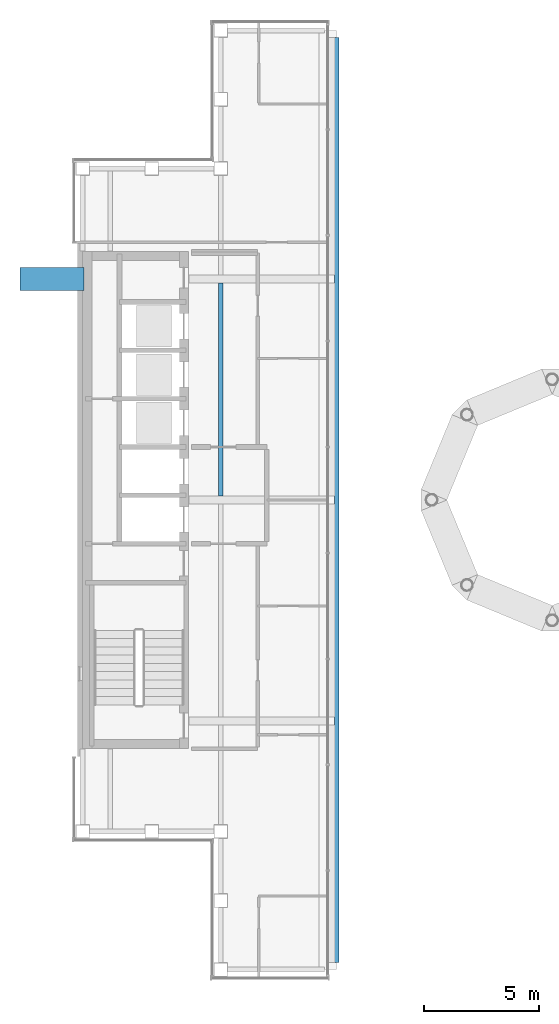
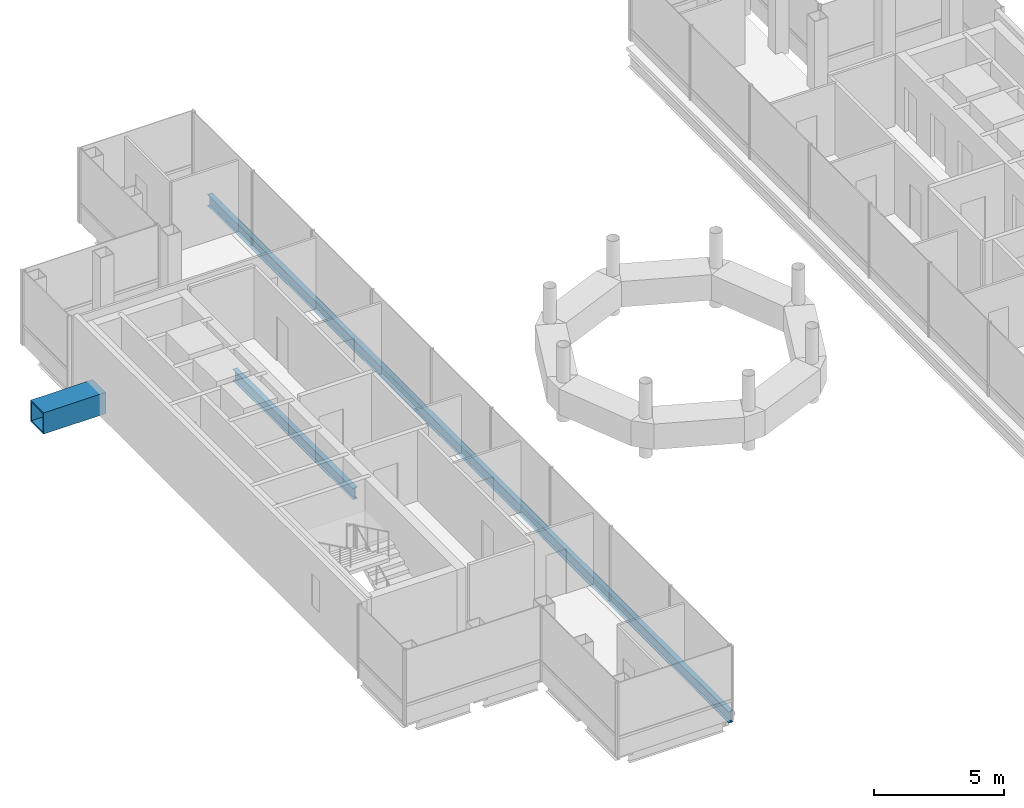
# One storey, part 7 of 21: 3 beams.
"""IFC4 building model written with IfcOpenShell, lengths in metres."""

import ifcopenshell
import ifcopenshell.guid

model = None  # the IFC model being written
_history = None  # IfcOwnerHistory: only IFC2X3 demands one
_inside = {}  # id of a spatial element -> (the spatial element, [elements in it])
_under = {}  # id of a project, library or spatial element -> (it, [spatial elements below it])
_declared = {}  # id of a project -> (the project, [libraries it declares])
_typed = {}  # id of a type object -> (the type object, [elements of that type])
_made_of = {}  # id of a material, layer set ... -> (it, [elements and type objects made of it])


def new_model(schema):
    """Start an empty IFC model of exactly this schema.

    Asked for "IFC4X3", IfcOpenShell would pick the latest addendum, in which some entities
    have other attributes; the version numbers below select the first issue.
    IFC2X3 requires an IfcOwnerHistory on every rooted entity: one is made here for all.
    """
    global model, _history
    if schema == "IFC4X3":
        model = ifcopenshell.file(schema_version=(4, 3, 0, 0))
    else:
        model = ifcopenshell.file(schema=schema)
    _inside.clear()
    _under.clear()
    _declared.clear()
    _typed.clear()
    _made_of.clear()
    _history = None
    if model.schema == "IFC2X3":
        org = make("IfcOrganization", Name="unknown")
        user = make(
            "IfcPersonAndOrganization",
            ThePerson=make("IfcPerson", FamilyName="unknown"),
            TheOrganization=org,
        )
        app = make(
            "IfcApplication",
            ApplicationDeveloper=org,
            Version="unknown",
            ApplicationFullName="unknown",
            ApplicationIdentifier="unknown",
        )
        _history = make(
            "IfcOwnerHistory",
            OwningUser=user,
            OwningApplication=app,
            ChangeAction="ADDED",
            CreationDate=0,
        )
    return model


def make(cls, **values):
    """One entity of the class cls with the attributes given. An attribute that is None is left unset."""
    return model.create_entity(
        cls, **{name: value for name, value in values.items() if value is not None}
    )


def rooted(cls, **values):
    """An entity with a GlobalId (a new one), such as an element, a storey or a relation."""
    return make(cls, GlobalId=ifcopenshell.guid.new(), OwnerHistory=_history, **values)


def si_unit(unit_type, name, prefix=None):
    """IfcSIUnit, for example si_unit("LENGTHUNIT", "METRE", prefix="MILLI")."""
    return make("IfcSIUnit", UnitType=unit_type, Prefix=prefix, Name=name)


def assignment(units):
    """IfcUnitAssignment: the units of a project."""
    return None if units is None else make("IfcUnitAssignment", Units=units)


def point(xyz):
    """IfcCartesianPoint."""
    return None if xyz is None else make("IfcCartesianPoint", Coordinates=xyz)


def direction(xyz):
    """IfcDirection."""
    return None if xyz is None else make("IfcDirection", DirectionRatios=xyz)


def frame(location, z_axis=None, x_axis=None):
    """IfcAxis2Placement3D, a coordinate frame: its origin and axes. An axis left out is left unset."""
    return make(
        "IfcAxis2Placement3D",
        Location=point(location),
        Axis=direction(z_axis),
        RefDirection=direction(x_axis),
    )


def frame_2d(location, x_axis=None):
    """IfcAxis2Placement2D, a coordinate frame in the plane: its origin and x axis."""
    return make(
        "IfcAxis2Placement2D", Location=point(location), RefDirection=direction(x_axis)
    )


def origin():
    """The frame at (0, 0, 0) with its axes left unset."""
    return frame((0.0, 0.0, 0.0))


def origin_2d():
    """The frame at (0, 0) in the plane with its x axis left unset."""
    return frame_2d((0.0, 0.0))


def place(relative_to, where):
    """IfcLocalPlacement: puts the frame where relative to a parent placement (None: the world)."""
    return make(
        "IfcLocalPlacement", PlacementRelTo=relative_to, RelativePlacement=where
    )


def context(
    kind, dimensions, precision=None, world=None, true_north=None, identifier=None
):
    """IfcGeometricRepresentationContext, for example the 3D "Model" context."""
    return make(
        "IfcGeometricRepresentationContext",
        ContextIdentifier=identifier,
        ContextType=kind,
        CoordinateSpaceDimension=dimensions,
        Precision=precision,
        WorldCoordinateSystem=world,
        TrueNorth=true_north,
    )


def subcontext(parent, identifier, kind, view, scale=None):
    """IfcGeometricRepresentationSubContext, for example "Body" below "Model"."""
    return make(
        "IfcGeometricRepresentationSubContext",
        ContextIdentifier=identifier,
        ContextType=kind,
        ParentContext=parent,
        TargetScale=scale,
        TargetView=view,
    )


def project(units=None, contexts=None):
    """IfcProject with its units and contexts."""
    return rooted(
        "IfcProject",
        Name="project",
        RepresentationContexts=contexts,
        UnitsInContext=assignment(units),
    )


def spatial(cls, under=None, at=None, **own):
    """A site, building, storey or space (cls), placed at a placement, below another one or the project."""
    s = rooted(cls, ObjectPlacement=at, **own)
    if under is not None:
        _under.setdefault(under.id(), (under, []))[1].append(s)
    return s


def profile(cls, at=None, kind="AREA", **sizes):
    """A parametric profile (cls). Its sizes go by their IFC names, for example OverallWidth=200.0."""
    return make(cls, ProfileType=kind, Position=at, **sizes)


def hollow_rectangle(**sizes):
    """IfcRectangleHollowProfileDef."""
    return profile("IfcRectangleHollowProfileDef", **sizes)


def i_section(**sizes):
    """IfcIShapeProfileDef."""
    return profile("IfcIShapeProfileDef", **sizes)


def extrude(swept, where, along, depth):
    """IfcExtrudedAreaSolid: the profile swept, set in the frame where, extruded along a direction by depth."""
    return make(
        "IfcExtrudedAreaSolid",
        SweptArea=swept,
        Position=where,
        ExtrudedDirection=direction(along),
        Depth=depth,
    )


def shape(context_of_items, identifier, shape_type, items):
    """IfcShapeRepresentation: the items that make up one representation, for example the "Body"."""
    return make(
        "IfcShapeRepresentation",
        ContextOfItems=context_of_items,
        RepresentationIdentifier=identifier,
        RepresentationType=shape_type,
        Items=items,
    )


def material(Name=None, Category=None):
    """IfcMaterial."""
    return make("IfcMaterial", Name=Name, Category=Category)


def material_profile(
    of_material, cross_section, Name=None, Category=None, Priority=None
):
    """IfcMaterialProfile: a cross section and its material."""
    return make(
        "IfcMaterialProfile",
        Name=Name,
        Material=of_material,
        Profile=cross_section,
        Priority=Priority,
        Category=Category,
    )


def profile_set(profiles, Name=None, composite=None):
    """IfcMaterialProfileSet."""
    return make(
        "IfcMaterialProfileSet",
        Name=Name,
        MaterialProfiles=profiles,
        CompositeProfile=composite,
    )


def made_of(thing, what):
    """Note that an element or type object is made of a material, layer set ...; save() writes the relation."""
    if what is not None:
        _made_of.setdefault(what.id(), (what, []))[1].append(thing)
    return thing


def type_object(cls, material=None, **own):
    """A type object (cls), such as IfcWallType, which elements share."""
    return made_of(rooted(cls, **own), material)


def element(
    cls,
    number,
    at=None,
    inside=None,
    cuts=None,
    type_object=None,
    material=None,
    context=None,
    identifier="Body",
    shape_type=None,
    held_by="IfcProductDefinitionShape",
    body=None,
    shapes=None,
    **own,
):
    """One element of the class cls, such as IfcWall. Its Tag is "e" and its number.

    at: its placement. inside: the storey or other place that contains it. cuts: it is an
    opening in that element (IfcRelVoidsElement). A single representation is given by context,
    identifier, shape_type and body (its items); several are given by shapes. held_by: the class
    of the entity that holds the representations. save() writes the other relations.
    """
    e = rooted(cls, Tag="e%d" % number, ObjectPlacement=at, **own)
    if body is not None:
        shapes = [shape(context, identifier, shape_type, body)]
    if shapes is not None:
        e.Representation = make(held_by, Representations=shapes)
    if inside is not None:
        _inside.setdefault(inside.id(), (inside, []))[1].append(e)
    if cuts is not None:
        rooted(
            "IfcRelVoidsElement", RelatingBuildingElement=cuts, RelatedOpeningElement=e
        )
    if type_object is not None:
        _typed.setdefault(type_object.id(), (type_object, []))[1].append(e)
    return made_of(e, material)


def aggregate(whole, parts):
    """IfcRelAggregates: a whole, such as a stair, and the parts it consists of."""
    return rooted("IfcRelAggregates", RelatingObject=whole, RelatedObjects=parts)


def save(model, path):
    """Write the relations noted so far, then the file.

    IfcRelAggregates (storeys below a building ...), IfcRelContainedInSpatialStructure (elements
    in a storey), IfcRelDefinesByType, IfcRelAssociatesMaterial and IfcRelDeclares: one each for
    every whole, place, type object, material and project.
    """
    for whole, parts in _under.values():
        aggregate(whole, parts)
    for where, things in _inside.values():
        rooted(
            "IfcRelContainedInSpatialStructure",
            RelatedElements=things,
            RelatingStructure=where,
        )
    for kind, things in _typed.values():
        rooted("IfcRelDefinesByType", RelatedObjects=things, RelatingType=kind)
    for what, things in _made_of.values():
        rooted("IfcRelAssociatesMaterial", RelatedObjects=things, RelatingMaterial=what)
    for by, libraries in _declared.values():
        rooted("IfcRelDeclares", RelatingContext=by, RelatedDefinitions=libraries)
    model.write(path)


model = new_model("IFC4")

# Units and contexts
model_context = context("Model", 3, precision=1e-05, world=origin(), true_north=direction((0.0, 1.0)))
body_context = subcontext(model_context, "Body", "Model", "MODEL_VIEW")
ifc_project = project(units=[si_unit("LENGTHUNIT", "METRE"), si_unit("AREAUNIT", "SQUARE_METRE"), si_unit("VOLUMEUNIT", "CUBIC_METRE"), si_unit("PLANEANGLEUNIT", "RADIAN"), si_unit("MASSUNIT", "GRAM", prefix="KILO")], contexts=[model_context])

# Site, building, storey
site_placement = place(None, origin())
site = spatial("IfcSite", under=ifc_project, at=site_placement, CompositionType="ELEMENT")
building_placement = place(site_placement, origin())
building = spatial("IfcBuilding", under=site, at=building_placement, Name="Cobrizo Arcos Hotel Tower", CompositionType="ELEMENT")
storey_placement = place(building_placement, frame((0.0, 0.0, 279.5)))
storey = spatial("IfcBuildingStorey", under=building, at=storey_placement, Name="L74", CompositionType="ELEMENT", Elevation=279.5)

# Beams
ifc_material_1 = material(Name="Steel ASTM A572 Grade 50", Category="steel")
ifc_material_profile_1 = material_profile(ifc_material_1, hollow_rectangle(XDim=1.0, YDim=1.0, WallThickness=0.06005859375, at=origin_2d()), Name="BOX 1000X1000X60")
ifc_profile_set_1 = profile_set([ifc_material_profile_1], Name="Steel ASTM A572 Grade 50")
beam_type_1 = type_object("IfcBeamType", Name="BOX 1000X1000X60 brace connector strut", PredefinedType="BEAM", material=ifc_profile_set_1)
beam_1_placement = place(storey_placement, frame((-20.35009765625, 9.60009765625, 0.5), z_axis=(-1.0, 0.0, 0.0), x_axis=(0.0, -1.0, 0.0)))
element("IfcBeam", 1, at=beam_1_placement, inside=storey, type_object=beam_type_1, Name="Perimeter brace stub BS1, zone Z5, west face, offset +9.60 m, L74", PredefinedType="BEAM", context=body_context, shape_type="SweptSolid", body=[
    extrude(hollow_rectangle(XDim=1.0, YDim=1.0, WallThickness=0.06005859375, at=origin_2d()), origin(), (0.0, 0.0, 1.0), 2.77001953125),
])
ifc_material_2 = material(Name="Steel ASTM A992 Grade 50", Category="steel")
ifc_material_profile_2 = material_profile(ifc_material_2, i_section(OverallWidth=0.209228515625, OverallDepth=0.533447265625, WebThickness=0.01025390625, FlangeThickness=0.015625, at=origin_2d()), Name="W21X62")
ifc_profile_set_2 = profile_set([ifc_material_profile_2], Name="Steel ASTM A992 Grade 50")
beam_type_2 = type_object("IfcBeamType", Name="W21X62 joist", PredefinedType="JOIST", material=ifc_profile_set_2)
beam_2_placement = place(storey_placement, frame((-14.39990234375, 0.163818359375, -0.416748046875), z_axis=(0.0, 1.0, 0.0), x_axis=(-1.0, 0.0, 0.0)))
element("IfcBeam", 2, at=beam_2_placement, inside=storey, type_object=beam_type_2, Name="Floor joist J1, L74, no. 005", PredefinedType="JOIST", context=body_context, shape_type="SweptSolid", body=[
    extrude(i_section(OverallWidth=0.209228515625, OverallDepth=0.533447265625, WebThickness=0.01025390625, FlangeThickness=0.015625, at=origin_2d()), origin(), (0.0, 0.0, 1.0), 9.272216796875),
])
ifc_material_profile_3 = material_profile(ifc_material_2, i_section(OverallWidth=0.209228515625, OverallDepth=0.533447265625, WebThickness=0.01025390625, FlangeThickness=0.015625, at=origin_2d()), Name="W21X62")
ifc_profile_set_3 = profile_set([ifc_material_profile_3], Name="Steel ASTM A992 Grade 50")
beam_type_3 = type_object("IfcBeamType", Name="W21X62 spandrel", PredefinedType="SPANDREL", material=ifc_profile_set_3)
beam_3_placement = place(storey_placement, frame((-9.364990234375, 20.10009765625, -0.416748046875), z_axis=(0.0, -1.0, 0.0), x_axis=(1.0, 0.0, 0.0)))
element("IfcBeam", 3, at=beam_3_placement, inside=storey, type_object=beam_type_3, Name="Spandrel beam W21X62, L74, no. 008", PredefinedType="SPANDREL", context=body_context, shape_type="SweptSolid", body=[
    extrude(i_section(OverallWidth=0.209228515625, OverallDepth=0.533447265625, WebThickness=0.01025390625, FlangeThickness=0.015625, at=origin_2d()), origin(), (0.0, 0.0, 1.0), 40.2001953125),
])

save(model, "model.ifc")
